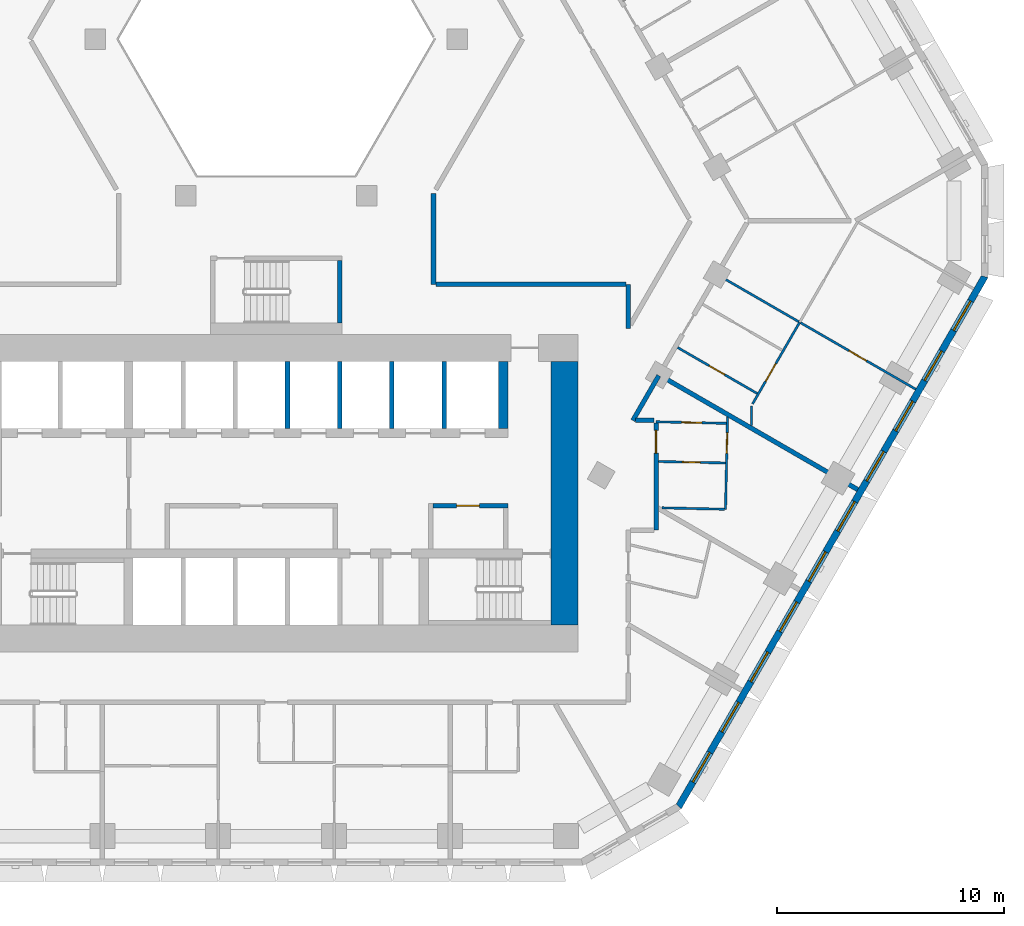
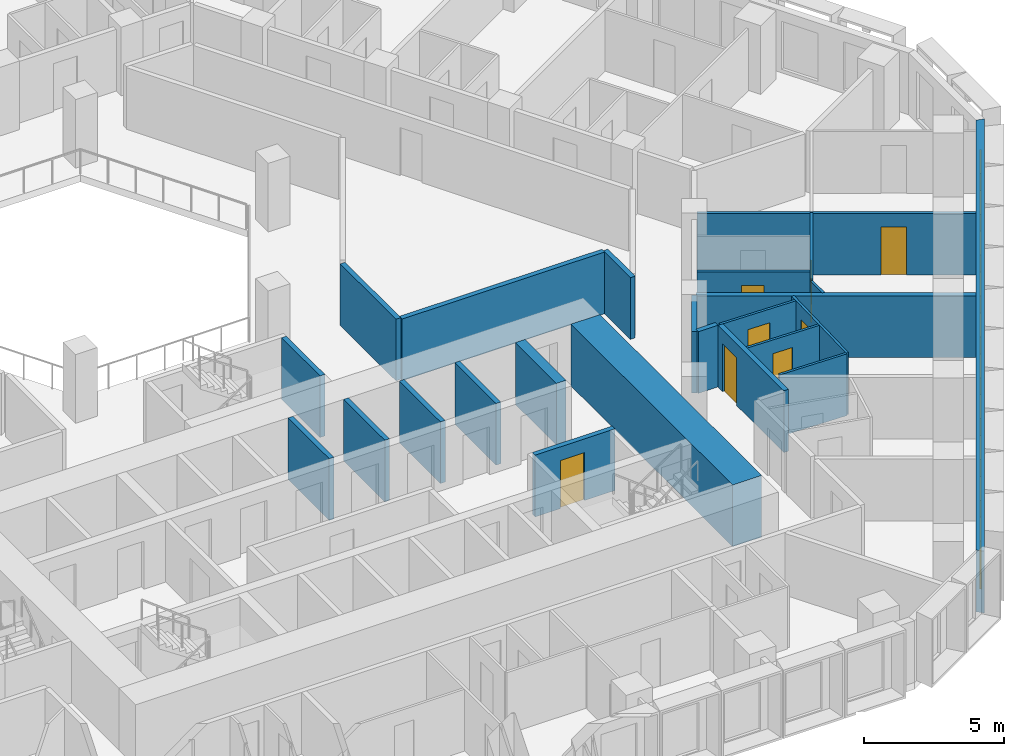
# One storey, part 7 of 21: 24 walls, 10 windows, 8 doors, 18 openings.
"""IFC4 building model written with IfcOpenShell, lengths in metres."""

from ifc_helpers import new_model, si_unit, direction, frame, frame_2d, origin, place, context, subcontext, project, spatial, polyline, rectangle, outline, extrude, material, layer, layer_set, type_object, element, fill, save


model = new_model("IFC4")

# Units and contexts
model_context = context("Model", 3, precision=1e-05, world=origin(), true_north=direction((0.0, 1.0)))
body_context = subcontext(model_context, "Body", "Model", "MODEL_VIEW")
ifc_project = project(units=[si_unit("LENGTHUNIT", "METRE"), si_unit("AREAUNIT", "SQUARE_METRE"), si_unit("VOLUMEUNIT", "CUBIC_METRE"), si_unit("PLANEANGLEUNIT", "RADIAN"), si_unit("MASSUNIT", "GRAM", prefix="KILO")], contexts=[model_context])

# Site, building, storey
site_placement = place(None, origin())
site = spatial("IfcSite", under=ifc_project, at=site_placement, CompositionType="ELEMENT")
building_placement = place(site_placement, origin())
building = spatial("IfcBuilding", under=site, at=building_placement, Name="Beryl Residences", CompositionType="ELEMENT")
storey_placement = place(building_placement, frame((0.0, 0.0, 47.39990234375)))
storey = spatial("IfcBuildingStorey", under=building, at=storey_placement, Name="L14", CompositionType="ELEMENT", Elevation=47.39990234375)

# Wall, openings, windows
ifc_material_1 = material(Name="Composite metal panel with mineral wool insulation")
ifc_layer_1 = layer(ifc_material_1, 0.300048828125)
ifc_layer_set_1 = layer_set([ifc_layer_1], Name="ES1 pale metal composite panel wall 300 mm")
wall_type_1 = type_object("IfcWallType", Name="ES1 pale metal composite panel wall 300 mm", PredefinedType="SOLIDWALL", material=ifc_layer_set_1)
wall_1_placement = place(storey_placement, frame((17.7099609375, -25.824951171875, 0.0), z_axis=(0.0, 0.0, 1.0), x_axis=(0.500001938803, 0.866024284413, 0.0)))
wall_1 = element("IfcWall", 1, at=wall_1_placement, inside=storey, type_object=wall_type_1, Name="ES1 external wall L14 SE", PredefinedType="SOLIDWALL", context=body_context, shape_type="SweptSolid", body=[
    extrude(outline(polyline([(0.0, -0.14990234375), (27.02001953125, -0.14990234375), (26.939697265625, 0.14990234375), (0.080322265625, 0.14990234375), (0.0, -0.14990234375)])), origin(), (0.0, 0.0, 1.0), 2.7001953125),
])
opening_1_placement = place(wall_1_placement, frame((1.277099609375, 0.0, 0.14990234375)))
opening_1 = element("IfcOpeningElement", 2, at=opening_1_placement, cuts=wall_1, Name="Opening W1", PredefinedType="OPENING", context=body_context, shape_type="SweptSolid", body=[
    extrude(rectangle(XDim=1.5, YDim=2.10009765625, at=frame_2d((0.75, 1.050048828125))), frame((0.0, 0.159912109375, 0.0), z_axis=(0.0, -1.0, 0.0), x_axis=(1.0, 0.0, 0.0)), (0.0, 0.0, 1.0), 0.320068359375),
])
opening_2_placement = place(wall_1_placement, frame((3.8291015625, 0.0, 0.14990234375)))
opening_2 = element("IfcOpeningElement", 3, at=opening_2_placement, cuts=wall_1, Name="Opening W1", PredefinedType="OPENING", context=body_context, shape_type="SweptSolid", body=[
    extrude(rectangle(XDim=1.5, YDim=2.10009765625, at=frame_2d((0.75, 1.050048828125))), frame((0.0, 0.159912109375, 0.0), z_axis=(0.0, -1.0, 0.0), x_axis=(1.0, 0.0, 0.0)), (0.0, 0.0, 1.0), 0.320068359375),
])
opening_3_placement = place(wall_1_placement, frame((6.382080078125, 0.0, 0.14990234375)))
opening_3 = element("IfcOpeningElement", 4, at=opening_3_placement, cuts=wall_1, Name="Opening W1", PredefinedType="OPENING", context=body_context, shape_type="SweptSolid", body=[
    extrude(rectangle(XDim=1.5, YDim=2.10009765625, at=frame_2d((0.75, 1.050048828125))), frame((0.0, 0.159912109375, 0.0), z_axis=(0.0, -1.0, 0.0), x_axis=(1.0, 0.0, 0.0)), (0.0, 0.0, 1.0), 0.320068359375),
])
opening_4_placement = place(wall_1_placement, frame((8.93310546875, 0.0, 0.14990234375)))
opening_4 = element("IfcOpeningElement", 5, at=opening_4_placement, cuts=wall_1, Name="Opening W1", PredefinedType="OPENING", context=body_context, shape_type="SweptSolid", body=[
    extrude(rectangle(XDim=1.5, YDim=2.10009765625, at=frame_2d((0.75, 1.050048828125))), frame((0.0, 0.159912109375, 0.0), z_axis=(0.0, -1.0, 0.0), x_axis=(1.0, 0.0, 0.0)), (0.0, 0.0, 1.0), 0.320068359375),
])
opening_5_placement = place(wall_1_placement, frame((11.485107421875, 0.0, 0.14990234375)))
opening_5 = element("IfcOpeningElement", 6, at=opening_5_placement, cuts=wall_1, Name="Opening W1", PredefinedType="OPENING", context=body_context, shape_type="SweptSolid", body=[
    extrude(rectangle(XDim=1.5, YDim=2.10009765625, at=frame_2d((0.75, 1.050048828125))), frame((0.0, 0.159912109375, 0.0), z_axis=(0.0, -1.0, 0.0), x_axis=(1.0, 0.0, 0.0)), (0.0, 0.0, 1.0), 0.320068359375),
])
opening_6_placement = place(wall_1_placement, frame((14.037109375, 0.0, 0.14990234375)))
opening_6 = element("IfcOpeningElement", 7, at=opening_6_placement, cuts=wall_1, Name="Opening W1", PredefinedType="OPENING", context=body_context, shape_type="SweptSolid", body=[
    extrude(rectangle(XDim=1.5, YDim=2.10009765625, at=frame_2d((0.75, 1.050048828125))), frame((0.0, 0.159912109375, 0.0), z_axis=(0.0, -1.0, 0.0), x_axis=(1.0, 0.0, 0.0)), (0.0, 0.0, 1.0), 0.320068359375),
])
opening_7_placement = place(wall_1_placement, frame((16.589111328125, 0.0, 0.14990234375)))
opening_7 = element("IfcOpeningElement", 8, at=opening_7_placement, cuts=wall_1, Name="Opening W1", PredefinedType="OPENING", context=body_context, shape_type="SweptSolid", body=[
    extrude(rectangle(XDim=1.5, YDim=2.10009765625, at=frame_2d((0.75, 1.050048828125))), frame((0.0, 0.159912109375, 0.0), z_axis=(0.0, -1.0, 0.0), x_axis=(1.0, 0.0, 0.0)), (0.0, 0.0, 1.0), 0.320068359375),
])
opening_8_placement = place(wall_1_placement, frame((19.14111328125, 0.0, 0.14990234375)))
opening_8 = element("IfcOpeningElement", 9, at=opening_8_placement, cuts=wall_1, Name="Opening W1", PredefinedType="OPENING", context=body_context, shape_type="SweptSolid", body=[
    extrude(rectangle(XDim=1.5, YDim=2.10009765625, at=frame_2d((0.75, 1.050048828125))), frame((0.0, 0.159912109375, 0.0), z_axis=(0.0, -1.0, 0.0), x_axis=(1.0, 0.0, 0.0)), (0.0, 0.0, 1.0), 0.320068359375),
])
opening_9_placement = place(wall_1_placement, frame((21.693115234375, 0.0, 0.14990234375)))
opening_9 = element("IfcOpeningElement", 10, at=opening_9_placement, cuts=wall_1, Name="Opening W1", PredefinedType="OPENING", context=body_context, shape_type="SweptSolid", body=[
    extrude(rectangle(XDim=1.5, YDim=2.10009765625, at=frame_2d((0.75, 1.050048828125))), frame((0.0, 0.159912109375, 0.0), z_axis=(0.0, -1.0, 0.0), x_axis=(1.0, 0.0, 0.0)), (0.0, 0.0, 1.0), 0.320068359375),
])
opening_10_placement = place(wall_1_placement, frame((24.243896484375, 0.0, 0.14990234375)))
opening_10 = element("IfcOpeningElement", 11, at=opening_10_placement, cuts=wall_1, Name="Opening W1", PredefinedType="OPENING", context=body_context, shape_type="SweptSolid", body=[
    extrude(rectangle(XDim=1.5, YDim=2.10009765625, at=frame_2d((0.75, 1.050048828125))), frame((0.0, 0.159912109375, 0.0), z_axis=(0.0, -1.0, 0.0), x_axis=(1.0, 0.0, 0.0)), (0.0, 0.0, 1.0), 0.320068359375),
])
ifc_material_2 = material(Name="Aluminium and clear glass", Category="aluminium")
window_type = type_object("IfcWindowType", Name="W1 cell window 1500 x 2100 mm", PartitioningType="SINGLE_PANEL", PredefinedType="WINDOW", material=ifc_material_2)
window_1_placement = place(opening_1_placement, origin())
window_1 = element("IfcWindow", 12, at=window_1_placement, inside=storey, type_object=window_type, Name="W1 window L14 SE 1", OverallHeight=2.10009765625, OverallWidth=1.5, PartitioningType="SINGLE_PANEL", PredefinedType="WINDOW", context=body_context, shape_type="SweptSolid", body=[
    extrude(rectangle(XDim=1.5, YDim=2.10009765625, at=frame_2d((0.75, 1.050048828125))), frame((0.0, 0.030029296875, 0.0), z_axis=(0.0, -1.0, 0.0), x_axis=(1.0, 0.0, 0.0)), (0.0, 0.0, 1.0), 0.06005859375),
])
fill(opening_1, window_1)
window_2_placement = place(opening_2_placement, origin())
window_2 = element("IfcWindow", 13, at=window_2_placement, inside=storey, type_object=window_type, Name="W1 window L14 SE 2", OverallHeight=2.10009765625, OverallWidth=1.5, PartitioningType="SINGLE_PANEL", PredefinedType="WINDOW", context=body_context, shape_type="SweptSolid", body=[
    extrude(rectangle(XDim=1.5, YDim=2.10009765625, at=frame_2d((0.75, 1.050048828125))), frame((0.0, 0.030029296875, 0.0), z_axis=(0.0, -1.0, 0.0), x_axis=(1.0, 0.0, 0.0)), (0.0, 0.0, 1.0), 0.06005859375),
])
fill(opening_2, window_2)
window_3_placement = place(opening_3_placement, origin())
window_3 = element("IfcWindow", 14, at=window_3_placement, inside=storey, type_object=window_type, Name="W1 window L14 SE 3", OverallHeight=2.10009765625, OverallWidth=1.5, PartitioningType="SINGLE_PANEL", PredefinedType="WINDOW", context=body_context, shape_type="SweptSolid", body=[
    extrude(rectangle(XDim=1.5, YDim=2.10009765625, at=frame_2d((0.75, 1.050048828125))), frame((0.0, 0.030029296875, 0.0), z_axis=(0.0, -1.0, 0.0), x_axis=(1.0, 0.0, 0.0)), (0.0, 0.0, 1.0), 0.06005859375),
])
fill(opening_3, window_3)
window_4_placement = place(opening_4_placement, origin())
window_4 = element("IfcWindow", 15, at=window_4_placement, inside=storey, type_object=window_type, Name="W1 window L14 SE 4", OverallHeight=2.10009765625, OverallWidth=1.5, PartitioningType="SINGLE_PANEL", PredefinedType="WINDOW", context=body_context, shape_type="SweptSolid", body=[
    extrude(rectangle(XDim=1.5, YDim=2.10009765625, at=frame_2d((0.75, 1.050048828125))), frame((0.0, 0.030029296875, 0.0), z_axis=(0.0, -1.0, 0.0), x_axis=(1.0, 0.0, 0.0)), (0.0, 0.0, 1.0), 0.06005859375),
])
fill(opening_4, window_4)
window_5_placement = place(opening_5_placement, origin())
window_5 = element("IfcWindow", 16, at=window_5_placement, inside=storey, type_object=window_type, Name="W1 window L14 SE 5", OverallHeight=2.10009765625, OverallWidth=1.5, PartitioningType="SINGLE_PANEL", PredefinedType="WINDOW", context=body_context, shape_type="SweptSolid", body=[
    extrude(rectangle(XDim=1.5, YDim=2.10009765625, at=frame_2d((0.75, 1.050048828125))), frame((0.0, 0.030029296875, 0.0), z_axis=(0.0, -1.0, 0.0), x_axis=(1.0, 0.0, 0.0)), (0.0, 0.0, 1.0), 0.06005859375),
])
fill(opening_5, window_5)
window_6_placement = place(opening_6_placement, origin())
window_6 = element("IfcWindow", 17, at=window_6_placement, inside=storey, type_object=window_type, Name="W1 window L14 SE 6", OverallHeight=2.10009765625, OverallWidth=1.5, PartitioningType="SINGLE_PANEL", PredefinedType="WINDOW", context=body_context, shape_type="SweptSolid", body=[
    extrude(rectangle(XDim=1.5, YDim=2.10009765625, at=frame_2d((0.75, 1.050048828125))), frame((0.0, 0.030029296875, 0.0), z_axis=(0.0, -1.0, 0.0), x_axis=(1.0, 0.0, 0.0)), (0.0, 0.0, 1.0), 0.06005859375),
])
fill(opening_6, window_6)
window_7_placement = place(opening_7_placement, origin())
window_7 = element("IfcWindow", 18, at=window_7_placement, inside=storey, type_object=window_type, Name="W1 window L14 SE 7", OverallHeight=2.10009765625, OverallWidth=1.5, PartitioningType="SINGLE_PANEL", PredefinedType="WINDOW", context=body_context, shape_type="SweptSolid", body=[
    extrude(rectangle(XDim=1.5, YDim=2.10009765625, at=frame_2d((0.75, 1.050048828125))), frame((0.0, 0.030029296875, 0.0), z_axis=(0.0, -1.0, 0.0), x_axis=(1.0, 0.0, 0.0)), (0.0, 0.0, 1.0), 0.06005859375),
])
fill(opening_7, window_7)
window_8_placement = place(opening_8_placement, origin())
window_8 = element("IfcWindow", 19, at=window_8_placement, inside=storey, type_object=window_type, Name="W1 window L14 SE 8", OverallHeight=2.10009765625, OverallWidth=1.5, PartitioningType="SINGLE_PANEL", PredefinedType="WINDOW", context=body_context, shape_type="SweptSolid", body=[
    extrude(rectangle(XDim=1.5, YDim=2.10009765625, at=frame_2d((0.75, 1.050048828125))), frame((0.0, 0.030029296875, 0.0), z_axis=(0.0, -1.0, 0.0), x_axis=(1.0, 0.0, 0.0)), (0.0, 0.0, 1.0), 0.06005859375),
])
fill(opening_8, window_8)
window_9_placement = place(opening_9_placement, origin())
window_9 = element("IfcWindow", 20, at=window_9_placement, inside=storey, type_object=window_type, Name="W1 window L14 SE 9", OverallHeight=2.10009765625, OverallWidth=1.5, PartitioningType="SINGLE_PANEL", PredefinedType="WINDOW", context=body_context, shape_type="SweptSolid", body=[
    extrude(rectangle(XDim=1.5, YDim=2.10009765625, at=frame_2d((0.75, 1.050048828125))), frame((0.0, 0.030029296875, 0.0), z_axis=(0.0, -1.0, 0.0), x_axis=(1.0, 0.0, 0.0)), (0.0, 0.0, 1.0), 0.06005859375),
])
fill(opening_9, window_9)
window_10_placement = place(opening_10_placement, origin())
window_10 = element("IfcWindow", 21, at=window_10_placement, inside=storey, type_object=window_type, Name="W1 window L14 SE 10", OverallHeight=2.10009765625, OverallWidth=1.5, PartitioningType="SINGLE_PANEL", PredefinedType="WINDOW", context=body_context, shape_type="SweptSolid", body=[
    extrude(rectangle(XDim=1.5, YDim=2.10009765625, at=frame_2d((0.75, 1.050048828125))), frame((0.0, 0.030029296875, 0.0), z_axis=(0.0, -1.0, 0.0), x_axis=(1.0, 0.0, 0.0)), (0.0, 0.0, 1.0), 0.06005859375),
])
fill(opening_10, window_10)

# Wall, opening, door
ifc_material_3 = material(Name="Gypsum board partition on steel studs", Category="steel")
ifc_layer_2 = layer(ifc_material_3, 0.10009765625)
ifc_layer_set_2 = layer_set([ifc_layer_2], Name="PT1 partition 100 mm gypsum board on steel studs")
wall_type_2 = type_object("IfcWallType", Name="PT1 partition 100 mm gypsum board on steel studs", PredefinedType="PARTITIONING", material=ifc_layer_set_2)
wall_2_placement = place(storey_placement, frame((16.72802734375, -8.85302734375, 0.0), z_axis=(0.0, 0.0, 1.0), x_axis=(0.999759332126, -0.021938045176, 0.0)))
wall_2 = element("IfcWall", 22, at=wall_2_placement, inside=storey, type_object=wall_type_2, Name="Wall PT1 L14 017", PredefinedType="PARTITIONING", context=body_context, shape_type="SweptSolid", body=[
    extrude(rectangle(XDim=3.09375, YDim=0.10009765625, at=frame_2d((1.546875, 0.0))), origin(), (0.0, 0.0, 1.0), 2.7001953125),
])
opening_11_placement = place(wall_2_placement, frame((1.1220703125, 0.0, 0.0)))
opening_11 = element("IfcOpeningElement", 23, at=opening_11_placement, cuts=wall_2, Name="Opening D0241", PredefinedType="OPENING", context=body_context, shape_type="SweptSolid", body=[
    extrude(rectangle(XDim=0.89990234375, YDim=2.10009765625, at=frame_2d((0.449951171875, 1.050048828125))), frame((0.0, 0.06005859375, 0.0), z_axis=(0.0, -1.0, 0.0), x_axis=(1.0, 0.0, 0.0)), (0.0, 0.0, 1.0), 0.1201171875),
])
ifc_material_4 = material(Name="Timber door leaf", Category="wood")
door_type_1 = type_object("IfcDoorType", Name="D2 room door 900 x 2100 mm", OperationType="SINGLE_SWING_LEFT", PredefinedType="DOOR", material=ifc_material_4)
door_1_placement = place(opening_11_placement, origin())
door_1 = element("IfcDoor", 24, at=door_1_placement, inside=storey, type_object=door_type_1, Name="Door D0241 L14 001", OperationType="SINGLE_SWING_LEFT", OverallHeight=2.10009765625, OverallWidth=0.89990234375, PredefinedType="DOOR", context=body_context, shape_type="SweptSolid", body=[
    extrude(rectangle(XDim=0.89990234375, YDim=2.10009765625, at=frame_2d((0.449951171875, 1.050048828125))), frame((0.0, 0.02490234375, 0.0), z_axis=(0.0, -1.0, 0.0), x_axis=(1.0, 0.0, 0.0)), (0.0, 0.0, 1.0), 0.050048828125),
])
fill(opening_11, door_1)

wall_3_placement = place(storey_placement, frame((16.827880859375, -10.60107421875, 0.0), z_axis=(0.0, 0.0, 1.0), x_axis=(0.999751134527, -0.02230849639, 0.0)))
wall_3 = element("IfcWall", 25, at=wall_3_placement, inside=storey, type_object=wall_type_2, Name="Wall PT1 L14 018", PredefinedType="PARTITIONING", context=body_context, shape_type="SweptSolid", body=[
    extrude(rectangle(XDim=2.954833984375, YDim=0.10009765625, at=frame_2d((1.4775390625, 0.0))), origin(), (0.0, 0.0, 1.0), 2.7001953125),
])
opening_12_placement = place(wall_3_placement, frame((1.052978515625, 0.0, 0.0)))
opening_12 = element("IfcOpeningElement", 26, at=opening_12_placement, cuts=wall_3, Name="Opening D0242", PredefinedType="OPENING", context=body_context, shape_type="SweptSolid", body=[
    extrude(rectangle(XDim=0.800048828125, YDim=2.10009765625, at=frame_2d((0.39990234375, 1.050048828125))), frame((0.0, 0.06005859375, 0.0), z_axis=(0.0, -1.0, 0.0), x_axis=(1.0, 0.0, 0.0)), (0.0, 0.0, 1.0), 0.1201171875),
])
ifc_material_5 = material(Name="Timber door leaf", Category="wood")
door_type_2 = type_object("IfcDoorType", Name="D3 bathroom door 800 x 2100 mm", OperationType="SINGLE_SWING_LEFT", PredefinedType="DOOR", material=ifc_material_5)
door_2_placement = place(opening_12_placement, origin())
door_2 = element("IfcDoor", 27, at=door_2_placement, inside=storey, type_object=door_type_2, Name="Door D0242 L14 001", OperationType="SINGLE_SWING_RIGHT", OverallHeight=2.10009765625, OverallWidth=0.800048828125, PredefinedType="DOOR", context=body_context, shape_type="SweptSolid", body=[
    extrude(rectangle(XDim=0.800048828125, YDim=2.10009765625, at=frame_2d((0.39990234375, 1.050048828125))), frame((0.0, 0.02490234375, 0.0), z_axis=(0.0, -1.0, 0.0), x_axis=(1.0, 0.0, 0.0)), (0.0, 0.0, 1.0), 0.050048828125),
])
fill(opening_12, door_2)

# Wall
wall_4_placement = place(storey_placement, frame((16.99609375, -12.64208984375, 0.0), z_axis=(0.0, 0.0, 1.0), x_axis=(0.999754143854, -0.022173223641, 0.0)))
element("IfcWall", 28, at=wall_4_placement, inside=storey, type_object=wall_type_2, Name="Wall PT1 L14 019", PredefinedType="PARTITIONING", context=body_context, shape_type="SweptSolid", body=[
    extrude(rectangle(XDim=2.74169921875, YDim=0.10009765625, at=frame_2d((1.370849609375, 0.0))), origin(), (0.0, 0.0, 1.0), 2.7001953125),
])

# Wall, opening, door
wall_5_placement = place(storey_placement, frame((17.677001953125, -5.58203125, 0.0), z_axis=(0.0, 0.0, 1.0), x_axis=(0.866015917575, -0.500016430238, 0.0)))
wall_5 = element("IfcWall", 29, at=wall_5_placement, inside=storey, type_object=wall_type_2, Name="Wall PT1 L14 022", PredefinedType="PARTITIONING", context=body_context, shape_type="SweptSolid", body=[
    extrude(rectangle(XDim=4.049560546875, YDim=0.10009765625, at=frame_2d((2.02490234375, 0.0))), origin(), (0.0, 0.0, 1.0), 2.7001953125),
])
opening_13_placement = place(wall_5_placement, frame((1.60009765625, 0.0, 0.0)))
opening_13 = element("IfcOpeningElement", 30, at=opening_13_placement, cuts=wall_5, Name="Opening D0245", PredefinedType="OPENING", context=body_context, shape_type="SweptSolid", body=[
    extrude(rectangle(XDim=0.800048828125, YDim=2.10009765625, at=frame_2d((0.39990234375, 1.050048828125))), frame((0.0, 0.06005859375, 0.0), z_axis=(0.0, -1.0, 0.0), x_axis=(1.0, 0.0, 0.0)), (0.0, 0.0, 1.0), 0.1201171875),
])
door_3_placement = place(opening_13_placement, origin())
door_3 = element("IfcDoor", 31, at=door_3_placement, inside=storey, type_object=door_type_2, Name="Door D0245 L14 001", OperationType="SINGLE_SWING_LEFT", OverallHeight=2.10009765625, OverallWidth=0.800048828125, PredefinedType="DOOR", context=body_context, shape_type="SweptSolid", body=[
    extrude(rectangle(XDim=0.800048828125, YDim=2.10009765625, at=frame_2d((0.39990234375, 1.050048828125))), frame((0.0, 0.02490234375, 0.0), z_axis=(0.0, -1.0, 0.0), x_axis=(1.0, 0.0, 0.0)), (0.0, 0.0, 1.0), 0.050048828125),
])
fill(opening_13, door_3)

wall_6_placement = place(storey_placement, frame((19.5029296875, -2.4189453125, 0.0), z_axis=(0.0, 0.0, 1.0), x_axis=(0.866047370643, -0.499961950354, 0.0)))
wall_6 = element("IfcWall", 32, at=wall_6_placement, inside=storey, type_object=wall_type_2, Name="Wall PT1 L14 025", PredefinedType="PARTITIONING", context=body_context, shape_type="SweptSolid", body=[
    extrude(rectangle(XDim=10.000732421875, YDim=0.10009765625, at=frame_2d((5.00048828125, 0.0))), origin(), (0.0, 0.0, 1.0), 2.7001953125),
])
opening_14_placement = place(wall_6_placement, frame((6.60009765625, 0.0, 0.0)))
opening_14 = element("IfcOpeningElement", 33, at=opening_14_placement, cuts=wall_6, Name="Opening D0248", PredefinedType="OPENING", context=body_context, shape_type="SweptSolid", body=[
    extrude(rectangle(XDim=0.89990234375, YDim=2.10009765625, at=frame_2d((0.449951171875, 1.050048828125))), frame((0.0, 0.06005859375, 0.0), z_axis=(0.0, -1.0, 0.0), x_axis=(1.0, 0.0, 0.0)), (0.0, 0.0, 1.0), 0.1201171875),
])
door_4_placement = place(opening_14_placement, origin())
door_4 = element("IfcDoor", 34, at=door_4_placement, inside=storey, type_object=door_type_1, Name="Door D0248 L14 001", OperationType="SINGLE_SWING_RIGHT", OverallHeight=2.10009765625, OverallWidth=0.89990234375, PredefinedType="DOOR", context=body_context, shape_type="SweptSolid", body=[
    extrude(rectangle(XDim=0.89990234375, YDim=2.10009765625, at=frame_2d((0.449951171875, 1.050048828125))), frame((0.0, 0.02490234375, 0.0), z_axis=(0.0, -1.0, 0.0), x_axis=(1.0, 0.0, 0.0)), (0.0, 0.0, 1.0), 0.050048828125),
])
fill(opening_14, door_4)

wall_7_placement = place(storey_placement, frame((20.97802734375, -8.06494140625, 0.0), z_axis=(0.0, 0.0, 1.0), x_axis=(0.499965068118, 0.866045570776, 0.0)))
wall_7 = element("IfcWall", 35, at=wall_7_placement, inside=storey, type_object=wall_type_2, Name="Wall PT1 L14 040", PredefinedType="PARTITIONING", context=body_context, shape_type="SweptSolid", body=[
    extrude(rectangle(XDim=4.152099609375, YDim=0.10009765625, at=frame_2d((2.076171875, 0.0))), origin(), (0.0, 0.0, 1.0), 2.7001953125),
])
opening_15_placement = place(wall_7_placement, frame((1.14990234375, 0.0, 0.0)))
opening_15 = element("IfcOpeningElement", 36, at=opening_15_placement, cuts=wall_7, Name="Opening D0247", PredefinedType="OPENING", context=body_context, shape_type="SweptSolid", body=[
    extrude(rectangle(XDim=0.89990234375, YDim=2.10009765625, at=frame_2d((0.449951171875, 1.050048828125))), frame((0.0, 0.06005859375, 0.0), z_axis=(0.0, -1.0, 0.0), x_axis=(1.0, 0.0, 0.0)), (0.0, 0.0, 1.0), 0.1201171875),
])
door_5_placement = place(opening_15_placement, origin())
door_5 = element("IfcDoor", 37, at=door_5_placement, inside=storey, type_object=door_type_1, Name="Door D0247 L14 001", OperationType="SINGLE_SWING_LEFT", OverallHeight=2.10009765625, OverallWidth=0.89990234375, PredefinedType="DOOR", context=body_context, shape_type="SweptSolid", body=[
    extrude(rectangle(XDim=0.89990234375, YDim=2.10009765625, at=frame_2d((0.449951171875, 1.050048828125))), frame((0.0, 0.02490234375, 0.0), z_axis=(0.0, -1.0, 0.0), x_axis=(1.0, 0.0, 0.0)), (0.0, 0.0, 1.0), 0.050048828125),
])
fill(opening_15, door_5)

wall_8_placement = place(storey_placement, frame((19.787109375, -12.7041015625, 0.0), z_axis=(0.0, 0.0, 1.0), x_axis=(0.02212326712, 0.999755250575, 0.0)))
wall_8 = element("IfcWall", 38, at=wall_8_placement, inside=storey, type_object=wall_type_2, Name="Wall PT1 L14 045", PredefinedType="PARTITIONING", context=body_context, shape_type="SweptSolid", body=[
    extrude(rectangle(XDim=4.06103515625, YDim=0.10009765625, at=frame_2d((2.030517578125, 0.0))), origin(), (0.0, 0.0, 1.0), 2.7001953125),
])
opening_16_placement = place(wall_8_placement, frame((2.4599609375, 0.0, 0.0)))
opening_16 = element("IfcOpeningElement", 39, at=opening_16_placement, cuts=wall_8, Name="Opening D0243", PredefinedType="OPENING", context=body_context, shape_type="SweptSolid", body=[
    extrude(rectangle(XDim=0.89990234375, YDim=2.10009765625, at=frame_2d((0.449951171875, 1.050048828125))), frame((0.0, 0.06005859375, 0.0), z_axis=(0.0, -1.0, 0.0), x_axis=(1.0, 0.0, 0.0)), (0.0, 0.0, 1.0), 0.1201171875),
])
door_6_placement = place(opening_16_placement, origin())
door_6 = element("IfcDoor", 40, at=door_6_placement, inside=storey, type_object=door_type_1, Name="Door D0243 L14 001", OperationType="SINGLE_SWING_LEFT", OverallHeight=2.10009765625, OverallWidth=0.89990234375, PredefinedType="DOOR", context=body_context, shape_type="SweptSolid", body=[
    extrude(rectangle(XDim=0.89990234375, YDim=2.10009765625, at=frame_2d((0.449951171875, 1.050048828125))), frame((0.0, 0.02490234375, 0.0), z_axis=(0.0, -1.0, 0.0), x_axis=(1.0, 0.0, 0.0)), (0.0, 0.0, 1.0), 0.050048828125),
])
fill(opening_16, door_6)

# Wall
wall_9_placement = place(storey_placement, frame((20.927978515625, -9.02001953125, 0.0), z_axis=(0.0, 0.0, 1.0), x_axis=(0.0, 1.0, 0.0)))
element("IfcWall", 41, at=wall_9_placement, inside=storey, type_object=wall_type_2, Name="Wall PT1 L14 051", PredefinedType="PARTITIONING", context=body_context, shape_type="SweptSolid", body=[
    extrude(rectangle(XDim=0.869140625, YDim=0.10009765625, at=frame_2d((0.4345703125, 0.0))), origin(), (0.0, 0.0, 1.0), 2.7001953125),
])

# Wall, opening, door
ifc_material_6 = material(Name="Concrete masonry", Category="masonry")
ifc_layer_3 = layer(ifc_material_6, 0.199951171875)
ifc_layer_set_3 = layer_set([ifc_layer_3], Name="PT13 lobby wall 200 mm")
wall_type_3 = type_object("IfcWallType", Name="PT13 lobby wall 200 mm", PredefinedType="PARTITIONING", material=ifc_layer_set_3)
wall_10_placement = place(storey_placement, frame((6.89990234375, -12.550048828125, 0.0), z_axis=(0.0, 0.0, 1.0), x_axis=(1.0, 0.0, 0.0)))
wall_10 = element("IfcWall", 42, at=wall_10_placement, inside=storey, type_object=wall_type_3, Name="Lobby wall 22", PredefinedType="PARTITIONING", context=body_context, shape_type="SweptSolid", body=[
    extrude(rectangle(XDim=3.300048828125, YDim=0.199951171875, at=frame_2d((1.64990234375, 0.0))), origin(), (0.0, 0.0, 1.0), 2.7001953125),
])
opening_17_placement = place(wall_10_placement, frame((2.050048828125, 0.0, 0.0), z_axis=(0.0, 0.0, 1.0), x_axis=(-1.0, 0.0, 0.0)))
opening_17 = element("IfcOpeningElement", 43, at=opening_17_placement, cuts=wall_10, Name="Opening CD-D-A2", PredefinedType="OPENING", context=body_context, shape_type="SweptSolid", body=[
    extrude(rectangle(XDim=1.0, YDim=2.10009765625, at=frame_2d((0.5, 1.050048828125))), frame((0.0, 0.10986328125, 0.0), z_axis=(0.0, -1.0, 0.0), x_axis=(1.0, 0.0, 0.0)), (0.0, 0.0, 1.0), 0.219970703125),
])
ifc_material_7 = material(Name="Steel door leaf in steel frame", Category="steel")
door_type_3 = type_object("IfcDoorType", Name="D18 service room door 1000 x 2100 mm", OperationType="SINGLE_SWING_LEFT", PredefinedType="DOOR", material=ifc_material_7)
door_7_placement = place(opening_17_placement, origin())
door_7 = element("IfcDoor", 44, at=door_7_placement, inside=storey, type_object=door_type_3, Name="Door CD-D-A2 L14 001", OperationType="SINGLE_SWING_LEFT", OverallHeight=2.10009765625, OverallWidth=1.0, PredefinedType="DOOR", context=body_context, shape_type="SweptSolid", body=[
    extrude(rectangle(XDim=1.0, YDim=2.10009765625, at=frame_2d((0.5, 1.050048828125))), frame((0.0, 0.02490234375, 0.0), z_axis=(0.0, -1.0, 0.0), x_axis=(1.0, 0.0, 0.0)), (0.0, 0.0, 1.0), 0.050048828125),
])
fill(opening_17, door_7)

# Walls
ifc_material_8 = material(Name="Acoustic double stud gypsum board wall")
ifc_layer_4 = layer(ifc_material_8, 0.199951171875)
ifc_layer_set_4 = layer_set([ifc_layer_4], Name="PT3 party wall 200 mm acoustic double stud")
wall_type_4 = type_object("IfcWallType", Name="PT3 party wall 200 mm acoustic double stud", PredefinedType="PARTITIONING", material=ifc_layer_set_4)
wall_11_placement = place(storey_placement, frame((16.916015625, -6.819091796875, 0.0), z_axis=(0.0, 0.0, 1.0), x_axis=(0.866028876723, -0.499993984646, 0.0)))
element("IfcWall", 45, at=wall_11_placement, inside=storey, type_object=wall_type_4, Name="Wall PT3 L14 013", PredefinedType="PARTITIONING", context=body_context, shape_type="SweptSolid", body=[
    extrude(rectangle(XDim=10.0400390625, YDim=0.199951171875, at=frame_2d((5.02001953125, 0.0))), origin(), (0.0, 0.0, 1.0), 2.7001953125),
])
ifc_material_9 = material(Name="Double stud gypsum board wall")
ifc_layer_5 = layer(ifc_material_9, 0.199951171875)
ifc_layer_set_5 = layer_set([ifc_layer_5], Name="PT4 corridor wall 200 mm double stud")
wall_type_5 = type_object("IfcWallType", Name="PT4 corridor wall 200 mm double stud", PredefinedType="PARTITIONING", material=ifc_layer_set_5)
wall_12_placement = place(storey_placement, frame((15.822021484375, -8.7939453125, 0.0), z_axis=(0.0, 0.0, 1.0), x_axis=(1.0, 0.0, 0.0)))
element("IfcWall", 46, at=wall_12_placement, inside=storey, type_object=wall_type_5, Name="Wall PT4 L14 011", PredefinedType="PARTITIONING", context=body_context, shape_type="SweptSolid", body=[
    extrude(rectangle(XDim=0.805908203125, YDim=0.199951171875, at=frame_2d((0.40283203125, 0.0))), origin(), (0.0, 0.0, 1.0), 2.7001953125),
])
wall_13_placement = place(storey_placement, frame((7.028076171875, -2.800048828125, 0.0), z_axis=(0.0, 0.0, 1.0), x_axis=(1.0, 0.0, 0.0)))
element("IfcWall", 47, at=wall_13_placement, inside=storey, type_object=wall_type_5, Name="Wall PT4 L14 016", PredefinedType="PARTITIONING", context=body_context, shape_type="SweptSolid", body=[
    extrude(rectangle(XDim=8.371826171875, YDim=0.199951171875, at=frame_2d((4.18603515625, 0.0))), origin(), (0.0, 0.0, 1.0), 2.7001953125),
])
wall_14_placement = place(storey_placement, frame((15.70703125, -8.7939453125, 0.0), z_axis=(0.0, 0.0, 1.0), x_axis=(0.500040469623, 0.866002037376, 0.0)))
element("IfcWall", 48, at=wall_14_placement, inside=storey, type_object=wall_type_5, Name="Wall PT4 L14 022", PredefinedType="PARTITIONING", context=body_context, shape_type="SweptSolid", body=[
    extrude(rectangle(XDim=2.281494140625, YDim=0.199951171875, at=frame_2d((1.140625, 0.0))), origin(), (0.0, 0.0, 1.0), 2.7001953125),
])
wall_15_placement = place(storey_placement, frame((6.927978515625, -2.800048828125, 0.0), z_axis=(0.0, 0.0, 1.0), x_axis=(0.0, 1.0, 0.0)))
element("IfcWall", 49, at=wall_15_placement, inside=storey, type_object=wall_type_5, Name="Wall PT4 L14 027", PredefinedType="PARTITIONING", context=body_context, shape_type="SweptSolid", body=[
    extrude(rectangle(XDim=4.0, YDim=0.199951171875, at=frame_2d((2.0, 0.0))), origin(), (0.0, 0.0, 1.0), 2.7001953125),
])
wall_16_placement = place(storey_placement, frame((15.5, -4.751953125, 0.0), z_axis=(0.0, 0.0, 1.0), x_axis=(0.0, 1.0, 0.0)))
element("IfcWall", 50, at=wall_16_placement, inside=storey, type_object=wall_type_5, Name="Wall PT4 L14 030", PredefinedType="PARTITIONING", context=body_context, shape_type="SweptSolid", body=[
    extrude(rectangle(XDim=1.951904296875, YDim=0.199951171875, at=frame_2d((0.97607421875, 0.0))), origin(), (0.0, 0.0, 1.0), 2.7001953125),
])

# Wall, opening, door
wall_17_placement = place(storey_placement, frame((16.72802734375, -13.6240234375, 0.0), z_axis=(0.0, 0.0, 1.0), x_axis=(0.0, 1.0, 0.0)))
wall_17 = element("IfcWall", 51, at=wall_17_placement, inside=storey, type_object=wall_type_5, Name="Wall PT4 L14 031", PredefinedType="PARTITIONING", context=body_context, shape_type="SweptSolid", body=[
    extrude(rectangle(XDim=4.720947265625, YDim=0.199951171875, at=frame_2d((2.3603515625, 0.0))), origin(), (0.0, 0.0, 1.0), 2.7001953125),
])
opening_18_placement = place(wall_17_placement, frame((3.39697265625, 0.0, 0.0)))
opening_18 = element("IfcOpeningElement", 52, at=opening_18_placement, cuts=wall_17, Name="Opening D0240", PredefinedType="OPENING", context=body_context, shape_type="SweptSolid", body=[
    extrude(rectangle(XDim=1.0, YDim=2.10009765625, at=frame_2d((0.5, 1.050048828125))), frame((0.0, 0.10986328125, 0.0), z_axis=(0.0, -1.0, 0.0), x_axis=(1.0, 0.0, 0.0)), (0.0, 0.0, 1.0), 0.219970703125),
])
ifc_material_10 = material(Name="Timber door leaf", Category="wood")
door_type_4 = type_object("IfcDoorType", Name="D1 flat entrance door 1000 x 2100 mm", OperationType="SINGLE_SWING_LEFT", PredefinedType="DOOR", material=ifc_material_10)
door_8_placement = place(opening_18_placement, origin())
door_8 = element("IfcDoor", 53, at=door_8_placement, inside=storey, type_object=door_type_4, Name="Door D0240 L14 001", OperationType="SINGLE_SWING_RIGHT", OverallHeight=2.10009765625, OverallWidth=1.0, PredefinedType="DOOR", context=body_context, shape_type="SweptSolid", body=[
    extrude(rectangle(XDim=1.0, YDim=2.10009765625, at=frame_2d((0.5, 1.050048828125))), frame((0.0, 0.02490234375, 0.0), z_axis=(0.0, -1.0, 0.0), x_axis=(1.0, 0.0, 0.0)), (0.0, 0.0, 1.0), 0.050048828125),
])
fill(opening_18, door_8)

# Walls
ifc_material_11 = material(Name="Concrete C40/50", Category="concrete")
ifc_layer_6 = layer(ifc_material_11, 0.199951171875)
ifc_layer_set_6 = layer_set([ifc_layer_6], Name="PT5 stair enclosure wall 200 mm reinforced concrete C40/50")
wall_type_6 = type_object("IfcWallType", Name="PT5 stair enclosure wall 200 mm reinforced concrete C40/50", PredefinedType="SOLIDWALL", material=ifc_layer_set_6)
wall_18_placement = place(storey_placement, frame((2.800048828125, -4.5, 0.0), z_axis=(0.0, 0.0, 1.0), x_axis=(0.0, 1.0, 0.0)))
element("IfcWall", 54, at=wall_18_placement, inside=storey, type_object=wall_type_6, Name="Wall PT5 L14 003", PredefinedType="SOLIDWALL", context=body_context, shape_type="SweptSolid", body=[
    extrude(rectangle(XDim=2.75, YDim=0.199951171875, at=frame_2d((1.375, 0.0))), origin(), (0.0, 0.0, 1.0), 2.7001953125),
])
ifc_material_12 = material(Name="Concrete C40/50", Category="concrete")
ifc_layer_7 = layer(ifc_material_12, 0.199951171875)
ifc_layer_set_7 = layer_set([ifc_layer_7], Name="PT6 lift shaft wall 200 mm reinforced concrete C40/50")
wall_type_7 = type_object("IfcWallType", Name="PT6 lift shaft wall 200 mm reinforced concrete C40/50", PredefinedType="SOLIDWALL", material=ifc_layer_set_7)
for number, where, z_axis, x_axis, name in (
    (55, (0.5, -9.14990234375, 0.0), (0.0, 0.0, 1.0), (0.0, 1.0, 0.0), "Lift shaft wall 14"),
    (56, (2.800048828125, -9.14990234375, 0.0), (0.0, 0.0, 1.0), (0.0, 1.0, 0.0), "Lift shaft wall 17"),
    (57, (5.10009765625, -9.14990234375, 0.0), (0.0, 0.0, 1.0), (0.0, 1.0, 0.0), "Lift shaft wall 19"),
    (58, (7.39990234375, -9.14990234375, 0.0), (0.0, 0.0, 1.0), (0.0, 1.0, 0.0), "Lift shaft wall 23"),
):
    element("IfcWall", number, at=place(storey_placement, frame(where, z_axis=z_axis, x_axis=x_axis)), inside=storey, type_object=wall_type_7, Name=name, PredefinedType="SOLIDWALL", context=body_context, shape_type="SweptSolid", body=[
        extrude(rectangle(XDim=2.949951171875, YDim=0.199951171875, at=frame_2d((1.47509765625, 0.0))), origin(), (0.0, 0.0, 1.0), 2.7001953125),
    ])
ifc_material_13 = material(Name="Concrete C80/95", Category="concrete")
ifc_layer_8 = layer(ifc_material_13, 1.199951171875)
ifc_layer_set_8 = layer_set([ifc_layer_8], Name="SW1 core outer wall 1200 mm C80/95")
wall_type_8 = type_object("IfcWallType", Name="SW1 core outer wall 1200 mm C80/95", PredefinedType="SHEAR", material=ifc_layer_set_8)
wall_19_placement = place(storey_placement, frame((12.699951171875, -17.800048828125, 0.0), z_axis=(0.0, 0.0, 1.0), x_axis=(0.0, 1.0, 0.0)))
element("IfcWall", 59, at=wall_19_placement, inside=storey, type_object=wall_type_8, Name="Core wall E L14", PredefinedType="SHEAR", context=body_context, shape_type="SweptSolid", body=[
    extrude(rectangle(XDim=11.60009765625, YDim=1.199951171875, at=frame_2d((5.800048828125, 0.0))), origin(), (0.0, 0.0, 1.0), 2.7001953125),
])
ifc_material_14 = material(Name="Concrete C80/95", Category="concrete")
ifc_layer_9 = layer(ifc_material_14, 0.39990234375)
ifc_layer_set_9 = layer_set([ifc_layer_9], Name="SW6 core internal wall 400 mm C80/95")
wall_type_9 = type_object("IfcWallType", Name="SW6 core internal wall 400 mm C80/95", PredefinedType="SHEAR", material=ifc_layer_set_9)
wall_20_placement = place(storey_placement, frame((10.0, -9.14990234375, 0.0), z_axis=(0.0, 0.0, 1.0), x_axis=(0.0, 1.0, 0.0)))
element("IfcWall", 60, at=wall_20_placement, inside=storey, type_object=wall_type_9, Name="Core wall XN2 L14", PredefinedType="SHEAR", context=body_context, shape_type="SweptSolid", body=[
    extrude(rectangle(XDim=2.949951171875, YDim=0.39990234375, at=frame_2d((1.47509765625, 0.0))), origin(), (0.0, 0.0, 1.0), 2.7001953125),
])

save(model, "model.ifc")
